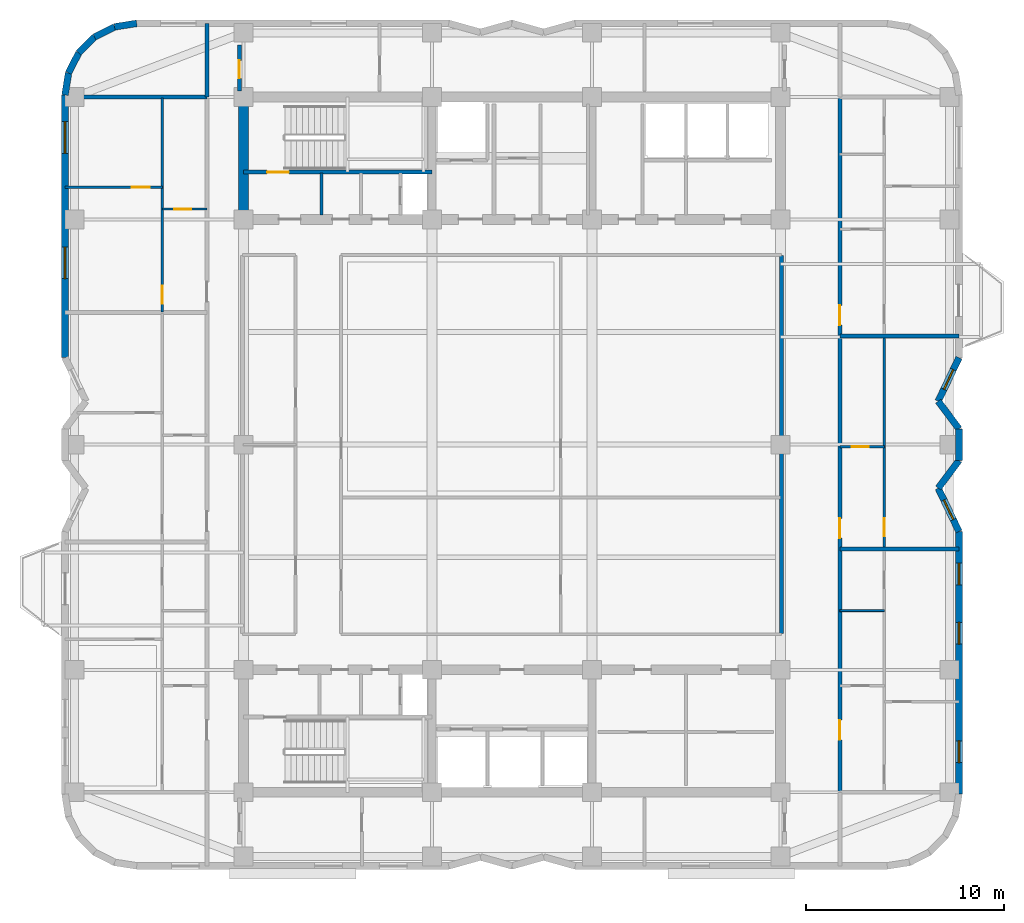
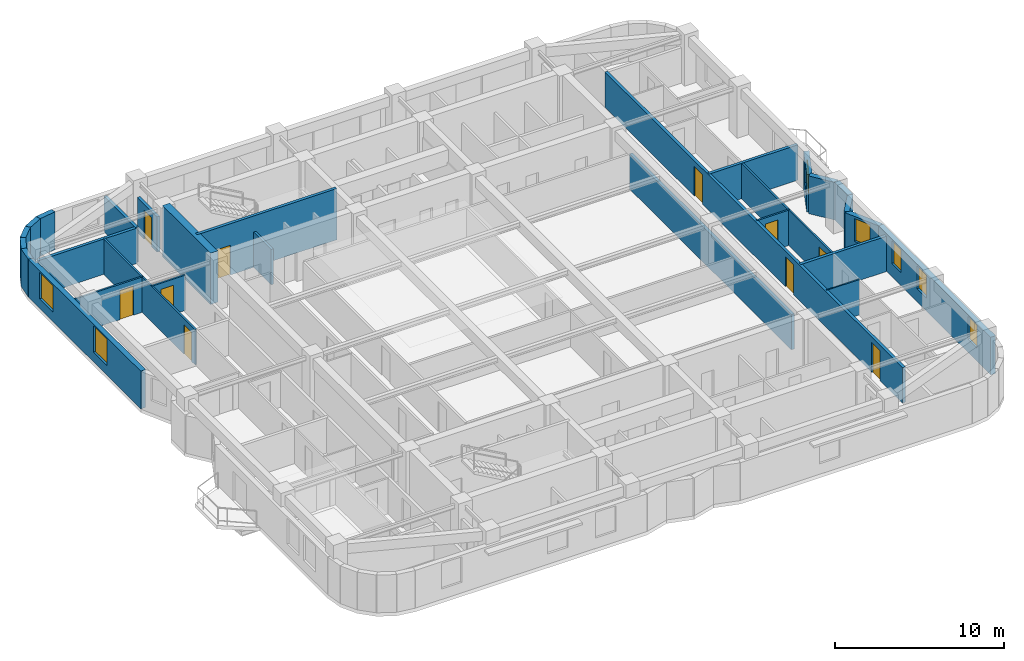
# One storey, part 5 of 10: 28 walls, 10 doors, 7 windows, 17 openings.
"""IFC4 building model written with IfcOpenShell, lengths in metres."""

from ifc_helpers import new_model, si_unit, direction, frame, frame_2d, origin, place, context, subcontext, project, spatial, rectangle, extrude, material, layer, layer_set, type_object, element, fill, save


model = new_model("IFC4")

# Units and contexts
model_context = context("Model", 3, precision=1e-05, world=origin(), true_north=direction((0.0, 1.0)))
body_context = subcontext(model_context, "Body", "Model", "MODEL_VIEW")
ifc_project = project(units=[si_unit("LENGTHUNIT", "METRE"), si_unit("AREAUNIT", "SQUARE_METRE"), si_unit("VOLUMEUNIT", "CUBIC_METRE"), si_unit("PLANEANGLEUNIT", "RADIAN"), si_unit("MASSUNIT", "GRAM", prefix="KILO")], contexts=[model_context])

# Site, building, storey
site_placement = place(None, origin())
site = spatial("IfcSite", under=ifc_project, at=site_placement, CompositionType="ELEMENT")
building_placement = place(site_placement, origin())
building = spatial("IfcBuilding", under=site, at=building_placement, Name="Svetorya Sky Lyceum", CompositionType="ELEMENT")
storey_placement = place(building_placement, frame((0.0, 0.0, 188.5)))
storey = spatial("IfcBuildingStorey", under=building, at=storey_placement, Name="L47", CompositionType="ELEMENT", Elevation=188.5)

# Wall
ifc_material_1 = material(Name="Concrete C50/60", Category="concrete")
ifc_layer_1 = layer(ifc_material_1, 0.5)
ifc_layer_set_1 = layer_set([ifc_layer_1], Name="Concrete C50/60")
wall_type_1 = type_object("IfcWallType", Name="WL-CORE-500", PredefinedType="SHEAR", material=ifc_layer_set_1)
wall_1_placement = place(storey_placement, frame((25.60009765625, 39.85009765625, 0.0), z_axis=(0.0, 0.0, 1.0), x_axis=(0.0, 1.0, 0.0)))
element("IfcWall", 1, at=wall_1_placement, inside=storey, type_object=wall_type_1, Name="L47 NC West Core Shear Wall", PredefinedType="SHEAR", context=body_context, shape_type="SweptSolid", body=[
    extrude(rectangle(XDim=5.699951171875, YDim=0.5, at=frame_2d((2.85009765625, 0.0))), origin(), (0.0, 0.0, 1.0), 3.699951171875),
])

# Wall, openings, windows
ifc_material_2 = material(Name="Putilovo limestone rainscreen on autoclaved cellular masonry", Category="masonry")
ifc_layer_2 = layer(ifc_material_2, 0.340087890625)
ifc_layer_set_2 = layer_set([ifc_layer_2], Name="Putilovo limestone rainscreen on autoclaved cellular masonry")
wall_type_2 = type_object("IfcWallType", Name="WL-EXT-340", PredefinedType="SOLIDWALL", material=ifc_layer_set_2)
wall_2_placement = place(storey_placement, frame((61.830078125, 10.5, 0.0), z_axis=(0.0, 0.0, 1.0), x_axis=(0.0, 1.0, 0.0)))
wall_2 = element("IfcWall", 2, at=wall_2_placement, inside=storey, type_object=wall_type_2, Name="L47 Limestone Exterior Wall 17M", PredefinedType="SOLIDWALL", context=body_context, shape_type="SweptSolid", body=[
    extrude(rectangle(XDim=13.300048828125, YDim=0.340087890625, at=frame_2d((6.64990234375, 0.0))), origin(), (0.0, 0.0, 1.0), 2.719970703125),
])
opening_1_placement = place(wall_2_placement, frame((1.60009765625, 0.0, 0.949951171875)))
opening_1 = element("IfcOpeningElement", 3, at=opening_1_placement, cuts=wall_2, Name="Opening W-R3", PredefinedType="OPENING", context=body_context, shape_type="SweptSolid", body=[
    extrude(rectangle(XDim=1.10009765625, YDim=1.64990234375, at=frame_2d((0.550048828125, 0.824951171875))), frame((0.0, 0.179931640625, 0.0), z_axis=(0.0, -1.0, 0.0), x_axis=(1.0, 0.0, 0.0)), (0.0, 0.0, 1.0), 0.360107421875),
])
opening_2_placement = place(wall_2_placement, frame((7.60009765625, 0.0, 0.949951171875)))
opening_2 = element("IfcOpeningElement", 4, at=opening_2_placement, cuts=wall_2, Name="Opening W-R3", PredefinedType="OPENING", context=body_context, shape_type="SweptSolid", body=[
    extrude(rectangle(XDim=1.10009765625, YDim=1.64990234375, at=frame_2d((0.550048828125, 0.824951171875))), frame((0.0, 0.179931640625, 0.0), z_axis=(0.0, -1.0, 0.0), x_axis=(1.0, 0.0, 0.0)), (0.0, 0.0, 1.0), 0.360107421875),
])
opening_3_placement = place(wall_2_placement, frame((10.60009765625, 0.0, 0.949951171875)))
opening_3 = element("IfcOpeningElement", 5, at=opening_3_placement, cuts=wall_2, Name="Opening W-R3", PredefinedType="OPENING", context=body_context, shape_type="SweptSolid", body=[
    extrude(rectangle(XDim=1.10009765625, YDim=1.64990234375, at=frame_2d((0.550048828125, 0.824951171875))), frame((0.0, 0.179931640625, 0.0), z_axis=(0.0, -1.0, 0.0), x_axis=(1.0, 0.0, 0.0)), (0.0, 0.0, 1.0), 0.360107421875),
])
ifc_material_3 = material(Name="Thermally broken aluminium frame with triple low-E glazing", Category="aluminium")
window_type_1 = type_object("IfcWindowType", Name="WN-RES-110", PartitioningType="SINGLE_PANEL", PredefinedType="WINDOW", material=ifc_material_3)
window_1_placement = place(opening_1_placement, origin())
window_1 = element("IfcWindow", 6, at=window_1_placement, inside=storey, type_object=window_type_1, Name="L47 Facade Window W-R3.17M.1", OverallHeight=1.64990234375, OverallWidth=1.10009765625, PartitioningType="SINGLE_PANEL", PredefinedType="WINDOW", context=body_context, shape_type="SweptSolid", body=[
    extrude(rectangle(XDim=1.10009765625, YDim=1.64990234375, at=frame_2d((0.550048828125, 0.824951171875))), frame((0.0, 0.030029296875, 0.0), z_axis=(0.0, -1.0, 0.0), x_axis=(1.0, 0.0, 0.0)), (0.0, 0.0, 1.0), 0.06005859375),
])
fill(opening_1, window_1)
window_2_placement = place(opening_2_placement, origin())
window_2 = element("IfcWindow", 7, at=window_2_placement, inside=storey, type_object=window_type_1, Name="L47 Facade Window W-R3.17M.2", OverallHeight=1.64990234375, OverallWidth=1.10009765625, PartitioningType="SINGLE_PANEL", PredefinedType="WINDOW", context=body_context, shape_type="SweptSolid", body=[
    extrude(rectangle(XDim=1.10009765625, YDim=1.64990234375, at=frame_2d((0.550048828125, 0.824951171875))), frame((0.0, 0.030029296875, 0.0), z_axis=(0.0, -1.0, 0.0), x_axis=(1.0, 0.0, 0.0)), (0.0, 0.0, 1.0), 0.06005859375),
])
fill(opening_2, window_2)
window_3_placement = place(opening_3_placement, origin())
window_3 = element("IfcWindow", 8, at=window_3_placement, inside=storey, type_object=window_type_1, Name="L47 Facade Window W-R3.17M.3", OverallHeight=1.64990234375, OverallWidth=1.10009765625, PartitioningType="SINGLE_PANEL", PredefinedType="WINDOW", context=body_context, shape_type="SweptSolid", body=[
    extrude(rectangle(XDim=1.10009765625, YDim=1.64990234375, at=frame_2d((0.550048828125, 0.824951171875))), frame((0.0, 0.030029296875, 0.0), z_axis=(0.0, -1.0, 0.0), x_axis=(1.0, 0.0, 0.0)), (0.0, 0.0, 1.0), 0.06005859375),
])
fill(opening_3, window_3)

# Wall, opening, window
wall_3_placement = place(storey_placement, frame((61.830078125, 23.800048828125, 0.0), z_axis=(0.0, 0.0, 1.0), x_axis=(-0.430753686581, 0.902469534941, 0.0)))
wall_3 = element("IfcWall", 9, at=wall_3_placement, inside=storey, type_object=wall_type_2, Name="L47 Limestone Exterior Wall 18M", PredefinedType="SOLIDWALL", context=body_context, shape_type="SweptSolid", body=[
    extrude(rectangle(XDim=2.437744140625, YDim=0.340087890625, at=frame_2d((1.21875, 0.0))), origin(), (0.0, 0.0, 1.0), 2.719970703125),
])
opening_4_placement = place(wall_3_placement, frame((0.6689453125, 0.0, 0.909912109375)))
opening_4 = element("IfcOpeningElement", 10, at=opening_4_placement, cuts=wall_3, Name="Opening W-R3", PredefinedType="OPENING", context=body_context, shape_type="SweptSolid", body=[
    extrude(rectangle(XDim=1.10009765625, YDim=1.64990234375, at=frame_2d((0.550048828125, 0.824951171875))), frame((0.0, 0.179931640625, 0.0), z_axis=(0.0, -1.0, 0.0), x_axis=(1.0, 0.0, 0.0)), (0.0, 0.0, 1.0), 0.360107421875),
])
window_4_placement = place(opening_4_placement, origin())
window_4 = element("IfcWindow", 11, at=window_4_placement, inside=storey, type_object=window_type_1, Name="L47 Facade Window W-R3.18M.1", OverallHeight=1.64990234375, OverallWidth=1.10009765625, PartitioningType="SINGLE_PANEL", PredefinedType="WINDOW", context=body_context, shape_type="SweptSolid", body=[
    extrude(rectangle(XDim=1.10009765625, YDim=1.64990234375, at=frame_2d((0.550048828125, 0.824951171875))), frame((0.0, 0.030029296875, 0.0), z_axis=(0.0, -1.0, 0.0), x_axis=(1.0, 0.0, 0.0)), (0.0, 0.0, 1.0), 0.06005859375),
])
fill(opening_4, window_4)

# Walls
wall_4_placement = place(storey_placement, frame((60.780029296875, 26.0, 0.0), z_axis=(0.0, 0.0, 1.0), x_axis=(0.600044643168, 0.799966515677, 0.0)))
element("IfcWall", 12, at=wall_4_placement, inside=storey, type_object=wall_type_2, Name="L47 Limestone Exterior Wall 19M", PredefinedType="SOLIDWALL", context=body_context, shape_type="SweptSolid", body=[
    extrude(rectangle(XDim=1.75, YDim=0.340087890625, at=frame_2d((0.875, 0.0))), origin(), (0.0, 0.0, 1.0), 2.719970703125),
])
wall_5_placement = place(storey_placement, frame((61.830078125, 27.39990234375, 0.0), z_axis=(0.0, 0.0, 1.0), x_axis=(0.0, 1.0, 0.0)))
element("IfcWall", 13, at=wall_5_placement, inside=storey, type_object=wall_type_2, Name="L47 Limestone Exterior Wall 20M", PredefinedType="SOLIDWALL", context=body_context, shape_type="SweptSolid", body=[
    extrude(rectangle(XDim=1.60009765625, YDim=0.340087890625, at=frame_2d((0.800048828125, 0.0))), origin(), (0.0, 0.0, 1.0), 2.719970703125),
])
wall_6_placement = place(storey_placement, frame((61.830078125, 29.0, 0.0), z_axis=(0.0, 0.0, 1.0), x_axis=(-0.600044643168, 0.799966515677, 0.0)))
element("IfcWall", 14, at=wall_6_placement, inside=storey, type_object=wall_type_2, Name="L47 Limestone Exterior Wall 21M", PredefinedType="SOLIDWALL", context=body_context, shape_type="SweptSolid", body=[
    extrude(rectangle(XDim=1.75, YDim=0.340087890625, at=frame_2d((0.875, 0.0))), origin(), (0.0, 0.0, 1.0), 2.719970703125),
])

# Wall, opening, window
wall_7_placement = place(storey_placement, frame((60.780029296875, 30.39990234375, 0.0), z_axis=(0.0, 0.0, 1.0), x_axis=(0.430714756408, 0.902488115496, 0.0)))
wall_7 = element("IfcWall", 15, at=wall_7_placement, inside=storey, type_object=wall_type_2, Name="L47 Limestone Exterior Wall 22M", PredefinedType="SOLIDWALL", context=body_context, shape_type="SweptSolid", body=[
    extrude(rectangle(XDim=2.43798828125, YDim=0.340087890625, at=frame_2d((1.218994140625, 0.0))), origin(), (0.0, 0.0, 1.0), 2.719970703125),
])
opening_5_placement = place(wall_7_placement, frame((0.6689453125, 0.0, 0.909912109375)))
opening_5 = element("IfcOpeningElement", 16, at=opening_5_placement, cuts=wall_7, Name="Opening W-R3", PredefinedType="OPENING", context=body_context, shape_type="SweptSolid", body=[
    extrude(rectangle(XDim=1.10009765625, YDim=1.64990234375, at=frame_2d((0.550048828125, 0.824951171875))), frame((0.0, 0.179931640625, 0.0), z_axis=(0.0, -1.0, 0.0), x_axis=(1.0, 0.0, 0.0)), (0.0, 0.0, 1.0), 0.360107421875),
])
window_5_placement = place(opening_5_placement, origin())
window_5 = element("IfcWindow", 17, at=window_5_placement, inside=storey, type_object=window_type_1, Name="L47 Facade Window W-R3.22M.1", OverallHeight=1.64990234375, OverallWidth=1.10009765625, PartitioningType="SINGLE_PANEL", PredefinedType="WINDOW", context=body_context, shape_type="SweptSolid", body=[
    extrude(rectangle(XDim=1.10009765625, YDim=1.64990234375, at=frame_2d((0.550048828125, 0.824951171875))), frame((0.0, 0.030029296875, 0.0), z_axis=(0.0, -1.0, 0.0), x_axis=(1.0, 0.0, 0.0)), (0.0, 0.0, 1.0), 0.06005859375),
])
fill(opening_5, window_5)

# Walls
wall_8_placement = place(storey_placement, frame((20.199951171875, 49.530029296875, 0.0), z_axis=(0.0, 0.0, 1.0), x_axis=(-0.987675651954, -0.156514556949, 0.0)))
element("IfcWall", 18, at=wall_8_placement, inside=storey, type_object=wall_type_2, Name="L47 Limestone Exterior Wall 35M", PredefinedType="SOLIDWALL", context=body_context, shape_type="SweptSolid", body=[
    extrude(rectangle(XDim=1.135498046875, YDim=0.340087890625, at=frame_2d((0.56787109375, 0.0))), origin(), (0.0, 0.0, 1.0), 2.719970703125),
])
for number, where, z_axis, x_axis, name in (
    (19, (19.078369140625, 49.352294921875, 0.0), (0.0, 0.0, 1.0), (-0.891005044957, -0.453993402883, 0.0), "L47 Limestone Exterior Wall 36M"),
    (20, (18.06640625, 48.836669921875, 0.0), (0.0, 0.0, 1.0), (-0.707214252388, -0.706999293649, 0.0), "L47 Limestone Exterior Wall 37M"),
    (21, (17.26318359375, 48.03369140625, 0.0), (0.0, 0.0, 1.0), (-0.453822724105, -0.891091990249, 0.0), "L47 Limestone Exterior Wall 38M"),
    (22, (16.747802734375, 47.021728515625, 0.0), (0.0, 0.0, 1.0), (-0.156481329164, -0.987680916907, 0.0), "L47 Limestone Exterior Wall 39M"),
):
    element("IfcWall", number, at=place(storey_placement, frame(where, z_axis=z_axis, x_axis=x_axis)), inside=storey, type_object=wall_type_2, Name=name, PredefinedType="SOLIDWALL", context=body_context, shape_type="SweptSolid", body=[
        extrude(rectangle(XDim=1.1357421875, YDim=0.340087890625, at=frame_2d((0.56787109375, 0.0))), origin(), (0.0, 0.0, 1.0), 2.719970703125),
    ])

# Wall, openings, windows
wall_9_placement = place(storey_placement, frame((16.570068359375, 45.89990234375, 0.0), z_axis=(0.0, 0.0, 1.0), x_axis=(0.0, -1.0, 0.0)))
wall_9 = element("IfcWall", 23, at=wall_9_placement, inside=storey, type_object=wall_type_2, Name="L47 Limestone Exterior Wall 40M", PredefinedType="SOLIDWALL", context=body_context, shape_type="SweptSolid", body=[
    extrude(rectangle(XDim=13.2998046875, YDim=0.340087890625, at=frame_2d((6.64990234375, 0.0))), origin(), (0.0, 0.0, 1.0), 2.719970703125),
])
opening_6_placement = place(wall_9_placement, frame((1.35009765625, 0.0, 0.699951171875)))
opening_6 = element("IfcOpeningElement", 24, at=opening_6_placement, cuts=wall_9, Name="Opening W-R4", PredefinedType="OPENING", context=body_context, shape_type="SweptSolid", body=[
    extrude(rectangle(XDim=1.60009765625, YDim=1.89990234375, at=frame_2d((0.800048828125, 0.949951171875))), frame((0.0, 0.179931640625, 0.0), z_axis=(0.0, -1.0, 0.0), x_axis=(1.0, 0.0, 0.0)), (0.0, 0.0, 1.0), 0.360107421875),
])
opening_7_placement = place(wall_9_placement, frame((7.699951171875, 0.0, 0.699951171875)))
opening_7 = element("IfcOpeningElement", 25, at=opening_7_placement, cuts=wall_9, Name="Opening W-R4", PredefinedType="OPENING", context=body_context, shape_type="SweptSolid", body=[
    extrude(rectangle(XDim=1.60009765625, YDim=1.89990234375, at=frame_2d((0.800048828125, 0.949951171875))), frame((0.0, 0.179931640625, 0.0), z_axis=(0.0, -1.0, 0.0), x_axis=(1.0, 0.0, 0.0)), (0.0, 0.0, 1.0), 0.360107421875),
])
window_type_2 = type_object("IfcWindowType", Name="WN-RES-160", PartitioningType="DOUBLE_PANEL_VERTICAL", PredefinedType="WINDOW", material=ifc_material_3)
window_6_placement = place(opening_6_placement, origin())
window_6 = element("IfcWindow", 26, at=window_6_placement, inside=storey, type_object=window_type_2, Name="L47 Facade Window W-R4.40M.1", OverallHeight=1.89990234375, OverallWidth=1.60009765625, PartitioningType="SINGLE_PANEL", PredefinedType="WINDOW", context=body_context, shape_type="SweptSolid", body=[
    extrude(rectangle(XDim=1.60009765625, YDim=1.89990234375, at=frame_2d((0.800048828125, 0.949951171875))), frame((0.0, 0.030029296875, 0.0), z_axis=(0.0, -1.0, 0.0), x_axis=(1.0, 0.0, 0.0)), (0.0, 0.0, 1.0), 0.06005859375),
])
fill(opening_6, window_6)
window_7_placement = place(opening_7_placement, origin())
window_7 = element("IfcWindow", 27, at=window_7_placement, inside=storey, type_object=window_type_2, Name="L47 Facade Window W-R4.40M.2", OverallHeight=1.89990234375, OverallWidth=1.60009765625, PartitioningType="SINGLE_PANEL", PredefinedType="WINDOW", context=body_context, shape_type="SweptSolid", body=[
    extrude(rectangle(XDim=1.60009765625, YDim=1.89990234375, at=frame_2d((0.800048828125, 0.949951171875))), frame((0.0, 0.030029296875, 0.0), z_axis=(0.0, -1.0, 0.0), x_axis=(1.0, 0.0, 0.0)), (0.0, 0.0, 1.0), 0.06005859375),
])
fill(opening_7, window_7)

# Wall
ifc_material_4 = material(Name="Galvanized stud partition with moisture-resistant board", Category="gypsum")
ifc_layer_3 = layer(ifc_material_4, 0.10009765625)
ifc_layer_set_3 = layer_set([ifc_layer_3], Name="Galvanized stud partition with moisture-resistant board")
wall_type_3 = type_object("IfcWallType", Name="WL-PART-100", PredefinedType="PARTITIONING", material=ifc_layer_set_3)
wall_10_placement = place(storey_placement, frame((55.800048828125, 19.800048828125, 0.0), z_axis=(0.0, 0.0, 1.0), x_axis=(1.0, 0.0, 0.0)))
element("IfcWall", 28, at=wall_10_placement, inside=storey, type_object=wall_type_3, Name="L47 Interior Partition E1-WH2", PredefinedType="PARTITIONING", context=body_context, shape_type="SweptSolid", body=[
    extrude(rectangle(XDim=2.25, YDim=0.10009765625, at=frame_2d((1.125, 0.0))), origin(), (0.0, 0.0, 1.0), 2.550048828125),
])

# Wall, opening, door
ifc_material_5 = material(Name="Twin-stud galvanized framing with double fireboard", Category="gypsum")
ifc_layer_4 = layer(ifc_material_5, 0.1201171875)
ifc_layer_set_4 = layer_set([ifc_layer_4], Name="Twin-stud galvanized framing with double fireboard")
wall_type_4 = type_object("IfcWallType", Name="WL-PART-120", PredefinedType="PARTITIONING", material=ifc_layer_set_4)
wall_11_placement = place(storey_placement, frame((21.5, 40.1279296875, 0.0), z_axis=(0.0, 0.0, 1.0), x_axis=(1.0, 0.0, 0.0)))
wall_11 = element("IfcWall", 29, at=wall_11_placement, inside=storey, type_object=wall_type_4, Name="L47 Interior Partition W3-WH1", PredefinedType="PARTITIONING", context=body_context, shape_type="SweptSolid", body=[
    extrude(rectangle(XDim=2.25, YDim=0.1201171875, at=frame_2d((1.125, 0.0))), origin(), (0.0, 0.0, 1.0), 2.550048828125),
])
opening_8_placement = place(wall_11_placement, frame((0.60009765625, 0.0, 0.0)))
opening_8 = element("IfcOpeningElement", 30, at=opening_8_placement, cuts=wall_11, Name="Opening D-BT1", PredefinedType="OPENING", context=body_context, shape_type="SweptSolid", body=[
    extrude(rectangle(XDim=0.85009765625, YDim=2.10009765625, at=frame_2d((0.425048828125, 1.050048828125))), frame((0.0, 0.070068359375, 0.0), z_axis=(0.0, -1.0, 0.0), x_axis=(1.0, 0.0, 0.0)), (0.0, 0.0, 1.0), 0.14013671875),
])
ifc_material_6 = material(Name="Moisture-resistant laminate bathroom door")
door_type_1 = type_object("IfcDoorType", Name="DR-WET-850", OperationType="SINGLE_SWING_LEFT", PredefinedType="DOOR", material=ifc_material_6)
door_1_placement = place(opening_8_placement, origin())
door_1 = element("IfcDoor", 31, at=door_1_placement, inside=storey, type_object=door_type_1, Name="Apartment W3 Bathroom Door", OperationType="SINGLE_SWING_LEFT", OverallHeight=2.10009765625, OverallWidth=0.85009765625, PredefinedType="DOOR", context=body_context, shape_type="SweptSolid", body=[
    extrude(rectangle(XDim=0.85009765625, YDim=2.10009765625, at=frame_2d((0.425048828125, 1.050048828125))), frame((0.0, 0.02490234375, 0.0), z_axis=(0.0, -1.0, 0.0), x_axis=(1.0, 0.0, 0.0)), (0.0, 0.0, 1.0), 0.050048828125),
])
fill(opening_8, door_1)

wall_12_placement = place(storey_placement, frame((16.570068359375, 41.238037109375, 0.0), z_axis=(0.0, 0.0, 1.0), x_axis=(1.0, 0.0, 0.0)))
wall_12 = element("IfcWall", 32, at=wall_12_placement, inside=storey, type_object=wall_type_4, Name="L47 Interior Partition W3-WL1", PredefinedType="PARTITIONING", context=body_context, shape_type="SweptSolid", body=[
    extrude(rectangle(XDim=4.929931640625, YDim=0.1201171875, at=frame_2d((2.46484375, 0.0))), origin(), (0.0, 0.0, 1.0), 2.550048828125),
])
opening_9_placement = place(wall_12_placement, frame((3.3798828125, 0.0, 0.0)))
opening_9 = element("IfcOpeningElement", 33, at=opening_9_placement, cuts=wall_12, Name="Opening D-RM1", PredefinedType="OPENING", context=body_context, shape_type="SweptSolid", body=[
    extrude(rectangle(XDim=0.89990234375, YDim=2.10009765625, at=frame_2d((0.449951171875, 1.050048828125))), frame((0.0, 0.070068359375, 0.0), z_axis=(0.0, -1.0, 0.0), x_axis=(1.0, 0.0, 0.0)), (0.0, 0.0, 1.0), 0.14013671875),
])
ifc_material_7 = material(Name="Lacquered birch veneer internal door")
door_type_2 = type_object("IfcDoorType", Name="DR-INT-900", OperationType="SINGLE_SWING_LEFT", PredefinedType="DOOR", material=ifc_material_7)
door_2_placement = place(opening_9_placement, origin())
door_2 = element("IfcDoor", 34, at=door_2_placement, inside=storey, type_object=door_type_2, Name="Apartment W3 Bedroom 1 Door", OperationType="SINGLE_SWING_LEFT", OverallHeight=2.10009765625, OverallWidth=0.89990234375, PredefinedType="DOOR", context=body_context, shape_type="SweptSolid", body=[
    extrude(rectangle(XDim=0.89990234375, YDim=2.10009765625, at=frame_2d((0.449951171875, 1.050048828125))), frame((0.0, 0.02490234375, 0.0), z_axis=(0.0, -1.0, 0.0), x_axis=(1.0, 0.0, 0.0)), (0.0, 0.0, 1.0), 0.050048828125),
])
fill(opening_9, door_2)

wall_13_placement = place(storey_placement, frame((21.5, 34.927978515625, 0.0), z_axis=(0.0, 0.0, 1.0), x_axis=(0.0, 1.0, 0.0)))
wall_13 = element("IfcWall", 35, at=wall_13_placement, inside=storey, type_object=wall_type_4, Name="L47 Interior Partition W3-WV", PredefinedType="PARTITIONING", context=body_context, shape_type="SweptSolid", body=[
    extrude(rectangle(XDim=10.83203125, YDim=0.1201171875, at=frame_2d((5.416015625, 0.0))), origin(), (0.0, 0.0, 1.0), 2.550048828125),
])
opening_10_placement = place(wall_13_placement, frame((0.409912109375, 0.0, 0.0)))
opening_10 = element("IfcOpeningElement", 36, at=opening_10_placement, cuts=wall_13, Name="Opening D-RM1", PredefinedType="OPENING", context=body_context, shape_type="SweptSolid", body=[
    extrude(rectangle(XDim=0.89990234375, YDim=2.10009765625, at=frame_2d((0.449951171875, 1.050048828125))), frame((0.0, 0.070068359375, 0.0), z_axis=(0.0, -1.0, 0.0), x_axis=(1.0, 0.0, 0.0)), (0.0, 0.0, 1.0), 0.14013671875),
])
door_3_placement = place(opening_10_placement, origin())
door_3 = element("IfcDoor", 37, at=door_3_placement, inside=storey, type_object=door_type_2, Name="Apartment W3 Living Door", OperationType="SINGLE_SWING_RIGHT", OverallHeight=2.10009765625, OverallWidth=0.89990234375, PredefinedType="DOOR", context=body_context, shape_type="SweptSolid", body=[
    extrude(rectangle(XDim=0.89990234375, YDim=2.10009765625, at=frame_2d((0.449951171875, 1.050048828125))), frame((0.0, 0.02490234375, 0.0), z_axis=(0.0, -1.0, 0.0), x_axis=(1.0, 0.0, 0.0)), (0.0, 0.0, 1.0), 0.050048828125),
])
fill(opening_10, door_3)

wall_14_placement = place(storey_placement, frame((55.800048828125, 28.090087890625, 0.0), z_axis=(0.0, 0.0, 1.0), x_axis=(1.0, 0.0, 0.0)))
wall_14 = element("IfcWall", 38, at=wall_14_placement, inside=storey, type_object=wall_type_4, Name="L47 Interior Partition E2-WH1", PredefinedType="PARTITIONING", context=body_context, shape_type="SweptSolid", body=[
    extrude(rectangle(XDim=2.25, YDim=0.1201171875, at=frame_2d((1.125, 0.0))), origin(), (0.0, 0.0, 1.0), 2.550048828125),
])
opening_11_placement = place(wall_14_placement, frame((0.60009765625, 0.0, 0.0)))
opening_11 = element("IfcOpeningElement", 39, at=opening_11_placement, cuts=wall_14, Name="Opening D-BT1", PredefinedType="OPENING", context=body_context, shape_type="SweptSolid", body=[
    extrude(rectangle(XDim=0.85009765625, YDim=2.10009765625, at=frame_2d((0.425048828125, 1.050048828125))), frame((0.0, 0.070068359375, 0.0), z_axis=(0.0, -1.0, 0.0), x_axis=(1.0, 0.0, 0.0)), (0.0, 0.0, 1.0), 0.14013671875),
])
door_4_placement = place(opening_11_placement, origin())
door_4 = element("IfcDoor", 40, at=door_4_placement, inside=storey, type_object=door_type_1, Name="Apartment E2 Bathroom Door", OperationType="SINGLE_SWING_LEFT", OverallHeight=2.10009765625, OverallWidth=0.85009765625, PredefinedType="DOOR", context=body_context, shape_type="SweptSolid", body=[
    extrude(rectangle(XDim=0.85009765625, YDim=2.10009765625, at=frame_2d((0.425048828125, 1.050048828125))), frame((0.0, 0.02490234375, 0.0), z_axis=(0.0, -1.0, 0.0), x_axis=(1.0, 0.0, 0.0)), (0.0, 0.0, 1.0), 0.050048828125),
])
fill(opening_11, door_4)

wall_15_placement = place(storey_placement, frame((58.050048828125, 22.9599609375, 0.0), z_axis=(0.0, 0.0, 1.0), x_axis=(0.0, 1.0, 0.0)))
wall_15 = element("IfcWall", 41, at=wall_15_placement, inside=storey, type_object=wall_type_4, Name="L47 Interior Partition E2-WV", PredefinedType="PARTITIONING", context=body_context, shape_type="SweptSolid", body=[
    extrude(rectangle(XDim=10.699951171875, YDim=0.1201171875, at=frame_2d((5.35009765625, 0.0))), origin(), (0.0, 0.0, 1.0), 2.550048828125),
])
opening_12_placement = place(wall_15_placement, frame((0.610107421875, 0.0, 0.0)))
opening_12 = element("IfcOpeningElement", 42, at=opening_12_placement, cuts=wall_15, Name="Opening D-RM1", PredefinedType="OPENING", context=body_context, shape_type="SweptSolid", body=[
    extrude(rectangle(XDim=0.89990234375, YDim=2.10009765625, at=frame_2d((0.449951171875, 1.050048828125))), frame((0.0, 0.070068359375, 0.0), z_axis=(0.0, -1.0, 0.0), x_axis=(1.0, 0.0, 0.0)), (0.0, 0.0, 1.0), 0.14013671875),
])
door_5_placement = place(opening_12_placement, origin())
door_5 = element("IfcDoor", 43, at=door_5_placement, inside=storey, type_object=door_type_2, Name="Apartment E2 Living Door", OperationType="SINGLE_SWING_RIGHT", OverallHeight=2.10009765625, OverallWidth=0.89990234375, PredefinedType="DOOR", context=body_context, shape_type="SweptSolid", body=[
    extrude(rectangle(XDim=0.89990234375, YDim=2.10009765625, at=frame_2d((0.449951171875, 1.050048828125))), frame((0.0, 0.02490234375, 0.0), z_axis=(0.0, -1.0, 0.0), x_axis=(1.0, 0.0, 0.0)), (0.0, 0.0, 1.0), 0.050048828125),
])
fill(opening_12, door_5)

# Walls
ifc_material_8 = material(Name="Autoclaved cellular masonry blockwork with acoustic render", Category="masonry")
ifc_layer_5 = layer(ifc_material_8, 0.14990234375)
ifc_layer_set_5 = layer_set([ifc_layer_5], Name="Autoclaved cellular masonry blockwork with acoustic render")
wall_type_5 = type_object("IfcWallType", Name="WL-PART-150", PredefinedType="PARTITIONING", material=ifc_layer_set_5)
wall_16_placement = place(storey_placement, frame((29.550048828125, 39.820068359375, 0.0), z_axis=(0.0, 0.0, 1.0), x_axis=(0.0, 1.0, 0.0)))
element("IfcWall", 44, at=wall_16_placement, inside=storey, type_object=wall_type_5, Name="L47 Interior Partition NC-NWD1", PredefinedType="PARTITIONING", context=body_context, shape_type="SweptSolid", body=[
    extrude(rectangle(XDim=2.1298828125, YDim=0.14990234375, at=frame_2d((1.06494140625, 0.0))), origin(), (0.0, 0.0, 1.0), 2.550048828125),
])
ifc_material_9 = material(Name="Autoclaved cellular masonry blockwork with gypsum plaster", Category="masonry")
ifc_layer_6 = layer(ifc_material_9, 0.199951171875)
ifc_layer_set_6 = layer_set([ifc_layer_6], Name="Autoclaved cellular masonry blockwork with gypsum plaster")
wall_type_6 = type_object("IfcWallType", Name="WL-PART-200", PredefinedType="PARTITIONING", material=ifc_layer_set_6)
wall_17_placement = place(storey_placement, frame((52.85009765625, 18.6298828125, 0.0), z_axis=(0.0, 0.0, 1.0), x_axis=(0.0, 1.0, 0.0)))
element("IfcWall", 45, at=wall_17_placement, inside=storey, type_object=wall_type_6, Name="L47 Interior Partition E-CEN-SEP", PredefinedType="PARTITIONING", context=body_context, shape_type="SweptSolid", body=[
    extrude(rectangle(XDim=19.14013671875, YDim=0.199951171875, at=frame_2d((9.570068359375, 0.0))), origin(), (0.0, 0.0, 1.0), 2.550048828125),
])
wall_18_placement = place(storey_placement, frame((16.989990234375, 45.800048828125, 0.0), z_axis=(0.0, 0.0, 1.0), x_axis=(1.0, 0.0, 0.0)))
element("IfcWall", 46, at=wall_18_placement, inside=storey, type_object=wall_type_6, Name="L47 Interior Partition W-CAP-N", PredefinedType="PARTITIONING", context=body_context, shape_type="SweptSolid", body=[
    extrude(rectangle(XDim=6.760009765625, YDim=0.199951171875, at=frame_2d((3.3798828125, 0.0))), origin(), (0.0, 0.0, 1.0), 2.550048828125),
])
for number, where, z_axis, x_axis, name in (
    (47, (55.800048828125, 22.919921875, 0.0), (0.0, 0.0, 1.0), (1.0, 0.0, 0.0), "L47 Interior Partition E-PARTY-1"),
    (48, (55.800048828125, 33.699951171875, 0.0), (0.0, 0.0, 1.0), (1.0, 0.0, 0.0), "L47 Interior Partition E-PARTY-2"),
):
    element("IfcWall", number, at=place(storey_placement, frame(where, z_axis=z_axis, x_axis=x_axis)), inside=storey, type_object=wall_type_6, Name=name, PredefinedType="PARTITIONING", context=body_context, shape_type="SweptSolid", body=[
        extrude(rectangle(XDim=6.030029296875, YDim=0.199951171875, at=frame_2d((3.01513671875, 0.0))), origin(), (0.0, 0.0, 1.0), 2.550048828125),
    ])

# Wall, openings, doors
wall_19_placement = place(storey_placement, frame((55.800048828125, 10.60009765625, 0.0), z_axis=(0.0, 0.0, 1.0), x_axis=(0.0, 1.0, 0.0)))
wall_19 = element("IfcWall", 49, at=wall_19_placement, inside=storey, type_object=wall_type_6, Name="L47 Interior Partition E-CORRW", PredefinedType="PARTITIONING", context=body_context, shape_type="SweptSolid", body=[
    extrude(rectangle(XDim=35.199951171875, YDim=0.199951171875, at=frame_2d((17.60009765625, 0.0))), origin(), (0.0, 0.0, 1.0), 2.550048828125),
])
opening_13_placement = place(wall_19_placement, frame((2.64990234375, 0.0, 0.0)))
opening_13 = element("IfcOpeningElement", 50, at=opening_13_placement, cuts=wall_19, Name="Opening D-APT1", PredefinedType="OPENING", context=body_context, shape_type="SweptSolid", body=[
    extrude(rectangle(XDim=1.0, YDim=2.14990234375, at=frame_2d((0.5, 1.074951171875))), frame((0.0, 0.10986328125, 0.0), z_axis=(0.0, -1.0, 0.0), x_axis=(1.0, 0.0, 0.0)), (0.0, 0.0, 1.0), 0.219970703125),
])
opening_14_placement = place(wall_19_placement, frame((12.8701171875, 0.0, 0.0)))
opening_14 = element("IfcOpeningElement", 51, at=opening_14_placement, cuts=wall_19, Name="Opening D-APT1", PredefinedType="OPENING", context=body_context, shape_type="SweptSolid", body=[
    extrude(rectangle(XDim=1.0, YDim=2.14990234375, at=frame_2d((0.5, 1.074951171875))), frame((0.0, 0.10986328125, 0.0), z_axis=(0.0, -1.0, 0.0), x_axis=(1.0, 0.0, 0.0)), (0.0, 0.0, 1.0), 0.219970703125),
])
opening_15_placement = place(wall_19_placement, frame((23.64990234375, 0.0, 0.0)))
opening_15 = element("IfcOpeningElement", 52, at=opening_15_placement, cuts=wall_19, Name="Opening D-APT1", PredefinedType="OPENING", context=body_context, shape_type="SweptSolid", body=[
    extrude(rectangle(XDim=1.0, YDim=2.14990234375, at=frame_2d((0.5, 1.074951171875))), frame((0.0, 0.10986328125, 0.0), z_axis=(0.0, -1.0, 0.0), x_axis=(1.0, 0.0, 0.0)), (0.0, 0.0, 1.0), 0.219970703125),
])
ifc_material_10 = material(Name="Insulated oak-veneered apartment entrance door")
door_type_3 = type_object("IfcDoorType", Name="DR-APT-1000", OperationType="SINGLE_SWING_LEFT", PredefinedType="DOOR", material=ifc_material_10)
door_6_placement = place(opening_13_placement, origin())
door_6 = element("IfcDoor", 53, at=door_6_placement, inside=storey, type_object=door_type_3, Name="L47 Apartment E1 Entrance Door", OperationType="SINGLE_SWING_RIGHT", OverallHeight=2.14990234375, OverallWidth=1.0, PredefinedType="DOOR", context=body_context, shape_type="SweptSolid", body=[
    extrude(rectangle(XDim=1.0, YDim=2.14990234375, at=frame_2d((0.5, 1.074951171875))), frame((0.0, 0.02490234375, 0.0), z_axis=(0.0, -1.0, 0.0), x_axis=(1.0, 0.0, 0.0)), (0.0, 0.0, 1.0), 0.050048828125),
])
fill(opening_13, door_6)
door_7_placement = place(opening_14_placement, origin())
door_7 = element("IfcDoor", 54, at=door_7_placement, inside=storey, type_object=door_type_3, Name="L47 Apartment E2 Entrance Door", OperationType="SINGLE_SWING_LEFT", OverallHeight=2.14990234375, OverallWidth=1.0, PredefinedType="DOOR", context=body_context, shape_type="SweptSolid", body=[
    extrude(rectangle(XDim=1.0, YDim=2.14990234375, at=frame_2d((0.5, 1.074951171875))), frame((0.0, 0.02490234375, 0.0), z_axis=(0.0, -1.0, 0.0), x_axis=(1.0, 0.0, 0.0)), (0.0, 0.0, 1.0), 0.050048828125),
])
fill(opening_14, door_7)
door_8_placement = place(opening_15_placement, origin())
door_8 = element("IfcDoor", 55, at=door_8_placement, inside=storey, type_object=door_type_3, Name="L47 Apartment E3 Entrance Door", OperationType="SINGLE_SWING_RIGHT", OverallHeight=2.14990234375, OverallWidth=1.0, PredefinedType="DOOR", context=body_context, shape_type="SweptSolid", body=[
    extrude(rectangle(XDim=1.0, YDim=2.14990234375, at=frame_2d((0.5, 1.074951171875))), frame((0.0, 0.02490234375, 0.0), z_axis=(0.0, -1.0, 0.0), x_axis=(1.0, 0.0, 0.0)), (0.0, 0.0, 1.0), 0.050048828125),
])
fill(opening_15, door_8)

# Wall
wall_20_placement = place(storey_placement, frame((23.75, 45.800048828125, 0.0), z_axis=(0.0, 0.0, 1.0), x_axis=(0.0, 1.0, 0.0)))
element("IfcWall", 56, at=wall_20_placement, inside=storey, type_object=wall_type_6, Name="L47 Interior Partition WC-NW-END", PredefinedType="PARTITIONING", context=body_context, shape_type="SweptSolid", body=[
    extrude(rectangle(XDim=3.72998046875, YDim=0.199951171875, at=frame_2d((1.864990234375, 0.0))), origin(), (0.0, 0.0, 1.0), 2.550048828125),
])

# Wall, opening, door
wall_21_placement = place(storey_placement, frame((25.39990234375, 46.10009765625, 0.0), z_axis=(0.0, 0.0, 1.0), x_axis=(0.0, 1.0, 0.0)))
wall_21 = element("IfcWall", 57, at=wall_21_placement, inside=storey, type_object=wall_type_6, Name="L47 Interior Partition N-EW", PredefinedType="PARTITIONING", context=body_context, shape_type="SweptSolid", body=[
    extrude(rectangle(XDim=2.329833984375, YDim=0.199951171875, at=frame_2d((1.1650390625, 0.0))), origin(), (0.0, 0.0, 1.0), 2.550048828125),
])
opening_16_placement = place(wall_21_placement, frame((0.64990234375, 0.0, 0.0)))
opening_16 = element("IfcOpeningElement", 58, at=opening_16_placement, cuts=wall_21, Name="Opening D-RM1", PredefinedType="OPENING", context=body_context, shape_type="SweptSolid", body=[
    extrude(rectangle(XDim=0.89990234375, YDim=2.10009765625, at=frame_2d((0.449951171875, 1.050048828125))), frame((0.0, 0.10986328125, 0.0), z_axis=(0.0, -1.0, 0.0), x_axis=(1.0, 0.0, 0.0)), (0.0, 0.0, 1.0), 0.219970703125),
])
door_9_placement = place(opening_16_placement, origin())
door_9 = element("IfcDoor", 59, at=door_9_placement, inside=storey, type_object=door_type_2, Name="L47 North Study Door", OperationType="SINGLE_SWING_RIGHT", OverallHeight=2.10009765625, OverallWidth=0.89990234375, PredefinedType="DOOR", context=body_context, shape_type="SweptSolid", body=[
    extrude(rectangle(XDim=0.89990234375, YDim=2.10009765625, at=frame_2d((0.449951171875, 1.050048828125))), frame((0.0, 0.02490234375, 0.0), z_axis=(0.0, -1.0, 0.0), x_axis=(1.0, 0.0, 0.0)), (0.0, 0.0, 1.0), 0.050048828125),
])
fill(opening_16, door_9)

ifc_layer_7 = layer(ifc_material_1, 0.199951171875)
ifc_layer_set_7 = layer_set([ifc_layer_7], Name="Concrete C50/60")
wall_type_7 = type_object("IfcWallType", Name="WL-SHW-200", PredefinedType="SHEAR", material=ifc_layer_set_7)
wall_22_placement = place(storey_placement, frame((35.14990234375, 42.0, 0.0), z_axis=(0.0, 0.0, 1.0), x_axis=(-1.0, 0.0, 0.0)))
wall_22 = element("IfcWall", 60, at=wall_22_placement, inside=storey, type_object=wall_type_7, Name="L47 Structural Stair Shaft Wall NC-STW", PredefinedType="SHEAR", context=body_context, shape_type="SweptSolid", body=[
    extrude(rectangle(XDim=9.5498046875, YDim=0.199951171875, at=frame_2d((4.77490234375, 0.0))), origin(), (0.0, 0.0, 1.0), 3.699951171875),
])
opening_17_placement = place(wall_22_placement, frame((7.25, 0.0, 0.0)))
opening_17 = element("IfcOpeningElement", 61, at=opening_17_placement, cuts=wall_22, Name="Opening D-ST1", PredefinedType="OPENING", context=body_context, shape_type="SweptSolid", body=[
    extrude(rectangle(XDim=1.10009765625, YDim=2.14990234375, at=frame_2d((0.550048828125, 1.074951171875))), frame((0.0, 0.10986328125, 0.0), z_axis=(0.0, -1.0, 0.0), x_axis=(1.0, 0.0, 0.0)), (0.0, 0.0, 1.0), 0.219970703125),
])
ifc_material_11 = material(Name="Powder-coated insulated galvanized stair fire door")
door_type_4 = type_object("IfcDoorType", Name="DR-FIRE-1100", OperationType="SINGLE_SWING_LEFT", PredefinedType="DOOR", material=ifc_material_11)
door_10_placement = place(opening_17_placement, origin())
door_10 = element("IfcDoor", 62, at=door_10_placement, inside=storey, type_object=door_type_4, Name="L47 Stair ST-N Vestibule Fire Door", OperationType="SINGLE_SWING_RIGHT", OverallHeight=2.14990234375, OverallWidth=1.10009765625, PredefinedType="DOOR", context=body_context, shape_type="SweptSolid", body=[
    extrude(rectangle(XDim=1.10009765625, YDim=2.14990234375, at=frame_2d((0.550048828125, 1.074951171875))), frame((0.0, 0.02490234375, 0.0), z_axis=(0.0, -1.0, 0.0), x_axis=(1.0, 0.0, 0.0)), (0.0, 0.0, 1.0), 0.050048828125),
])
fill(opening_17, door_10)

save(model, "model.ifc")
